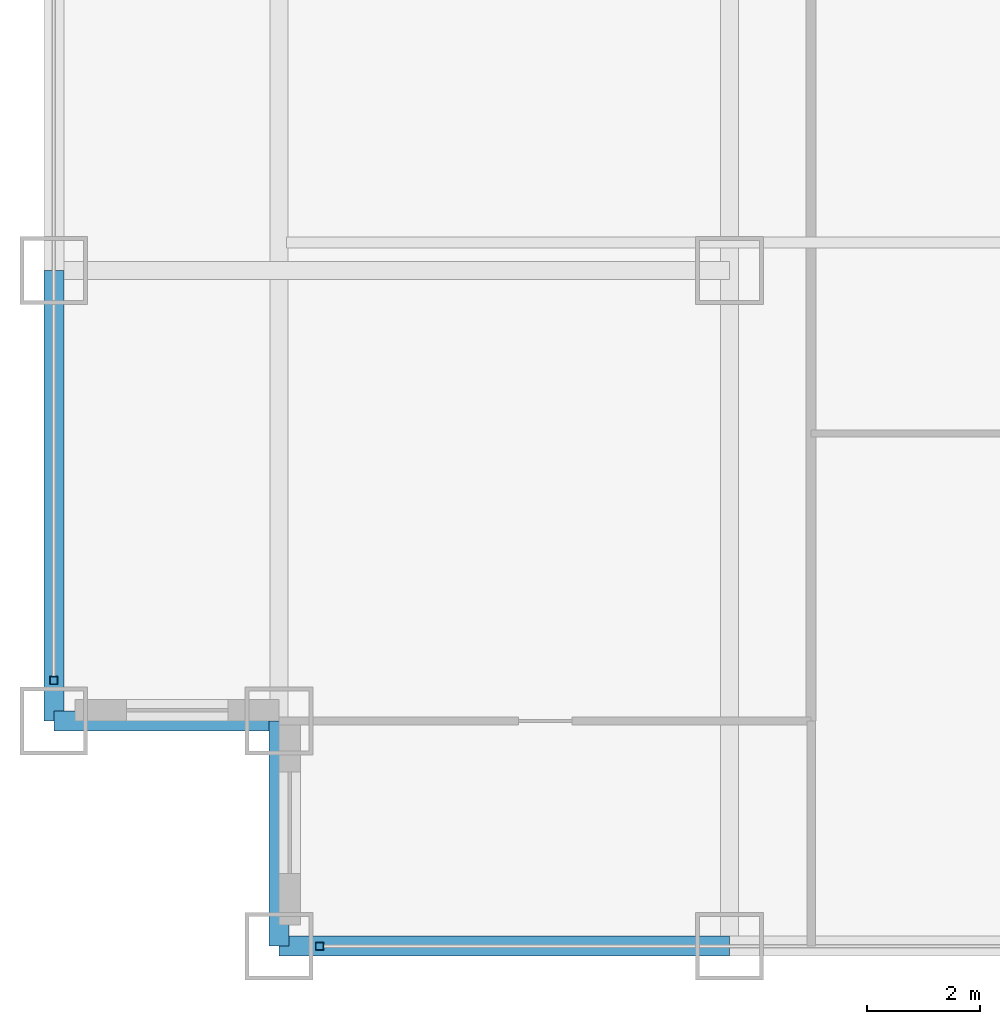
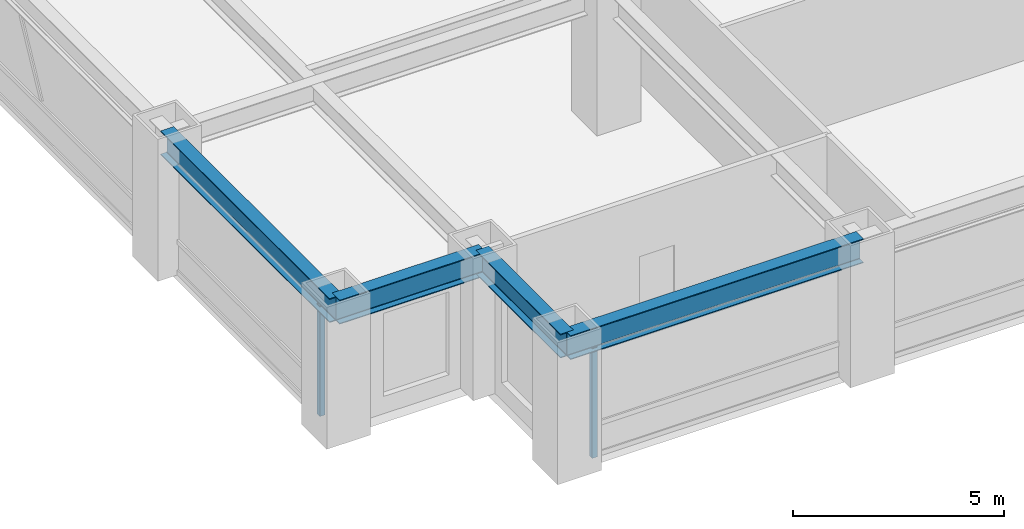
# One storey, part 2 of 28: 4 beams, 2 members, 2 elements without a shape of their own.
"""IFC4 building model written with IfcOpenShell, lengths in metres."""

from ifc_helpers import new_model, si_unit, direction, frame, origin, origin_2d, place, context, subcontext, project, spatial, hollow_rectangle, i_section, extrude, source, transform, mapped, material, material_profile, profile_set, type_object, element, aggregate, save


model = new_model("IFC4")

# Units and contexts
model_context = context("Model", 3, precision=1e-05, world=origin(), true_north=direction((0.0, 1.0)))
body_context = subcontext(model_context, "Body", "Model", "MODEL_VIEW")
ifc_project = project(units=[si_unit("LENGTHUNIT", "METRE"), si_unit("AREAUNIT", "SQUARE_METRE"), si_unit("VOLUMEUNIT", "CUBIC_METRE"), si_unit("PLANEANGLEUNIT", "RADIAN"), si_unit("MASSUNIT", "GRAM", prefix="KILO")], contexts=[model_context])

# Site, building, storey
site_placement = place(None, origin())
site = spatial("IfcSite", under=ifc_project, at=site_placement, CompositionType="ELEMENT")
building_placement = place(site_placement, origin())
building = spatial("IfcBuilding", under=site, at=building_placement, Name="Khorayat Bourse Tower", CompositionType="ELEMENT")
storey_placement = place(building_placement, frame((0.0, 0.0, 124.199951171875)))
storey = spatial("IfcBuildingStorey", under=building, at=storey_placement, Name="L28", CompositionType="ELEMENT", Elevation=124.199951171875)

# Beams
ifc_material_1 = material(Name="Steel ASTM A992 Grade 50", Category="steel")
ifc_material_profile_1 = material_profile(ifc_material_1, i_section(OverallWidth=0.35498046875, OverallDepth=0.695068359375, WebThickness=0.015380859375, FlangeThickness=0.02490234375, FilletRadius=0.01806640625, at=origin_2d()), Name="W690X217")
ifc_profile_set_1 = profile_set([ifc_material_profile_1], Name="Steel ASTM A992 Grade 50")
beam_type = type_object("IfcBeamType", Name="BM-SPAN-690", PredefinedType="SPANDREL", material=ifc_profile_set_1)
shared_shape_1 = source(origin(), body_context, "Body", "SweptSolid", [
    extrude(i_section(OverallWidth=0.35498046875, OverallDepth=0.695068359375, WebThickness=0.015380859375, FlangeThickness=0.02490234375, FilletRadius=0.01806640625, at=origin_2d()), origin(), (0.0, 0.0, 1.0), 8.0),
])
for number, where, z_axis, x_axis, name in (
    (1, (-28.0, -32.0, 3.492431640625), (1.0, 0.0, 0.0), (0.0, 1.0, 0.0), "L28 BM-SPAN-690 BM-L28-SPN-024"),
    (2, (-32.0, -28.0, 3.492431640625), (0.0, 1.0, 0.0), (-1.0, 0.0, 0.0), "L28 BM-SPAN-690 BM-L28-SPN-061"),
):
    element("IfcBeam", number, at=place(storey_placement, frame(where, z_axis=z_axis, x_axis=x_axis)), inside=storey, type_object=beam_type, Name=name, PredefinedType="SPANDREL", context=body_context, shape_type="MappedRepresentation", body=[
        mapped(shared_shape_1, transform((0.0, 0.0, 0.0), scale=1.0)),
    ])
shared_shape_2 = source(origin(), body_context, "Body", "SweptSolid", [
    extrude(i_section(OverallWidth=0.35498046875, OverallDepth=0.695068359375, WebThickness=0.015380859375, FlangeThickness=0.02490234375, FilletRadius=0.01806640625, at=origin_2d()), origin(), (0.0, 0.0, 1.0), 4.0),
])
for number, where, z_axis, x_axis, name in (
    (3, (-32.0, -28.0, 3.492431640625), (1.0, 0.0, 0.0), (0.0, 1.0, 0.0), "L28 BM-SPAN-690 BM-L28-SPN-062"),
    (4, (-28.0, -32.0, 3.492431640625), (0.0, 1.0, 0.0), (-1.0, 0.0, 0.0), "L28 BM-SPAN-690 BM-L28-SPN-063"),
):
    element("IfcBeam", number, at=place(storey_placement, frame(where, z_axis=z_axis, x_axis=x_axis)), inside=storey, type_object=beam_type, Name=name, PredefinedType="SPANDREL", context=body_context, shape_type="MappedRepresentation", body=[
        mapped(shared_shape_2, transform((0.0, 0.0, 0.0), scale=1.0)),
    ])

# Curtain wall, member
ifc_material_2 = material(Name="Aluminium EN AW-6063 T6", Category="aluminium")
curtain_wall_type = type_object("IfcCurtainWallType", Name="CW-SYS-02", PredefinedType="NOTDEFINED", material=ifc_material_2)
curtain_wall_1_placement = place(storey_placement, origin())
curtain_wall_1 = element("IfcCurtainWall", 5, at=curtain_wall_1_placement, inside=storey, type_object=curtain_wall_type, Name="L28 Curtain Wall CW-L28-S1", PredefinedType="NOTDEFINED")
ifc_material_profile_2 = material_profile(ifc_material_2, hollow_rectangle(XDim=0.139892578125, YDim=0.139892578125, WallThickness=0.006103515625, at=origin_2d()), Name="ALU 140x140x6")
ifc_profile_set_2 = profile_set([ifc_material_profile_2], Name="Aluminium EN AW-6063 T6")
member_type = type_object("IfcMemberType", Name="CWM-VERT-140", PredefinedType="MULLION", material=ifc_profile_set_2)
shared_shape_3 = source(origin(), body_context, "Body", "SweptSolid", [
    extrude(hollow_rectangle(XDim=0.139892578125, YDim=0.139892578125, WallThickness=0.006103515625, at=origin_2d()), origin(), (0.0, 0.0, 1.0), 3.18994140625),
])
member_1_placement = place(storey_placement, frame((-27.280029296875, -32.0, 0.0), z_axis=(0.0, 0.0, 1.0), x_axis=(0.0, 1.0, 0.0)))
member_1 = element("IfcMember", 6, at=member_1_placement, type_object=member_type, Name="CW-L28-S1 Vertical Mullion 1", PredefinedType="MULLION", context=body_context, shape_type="MappedRepresentation", body=[
    mapped(shared_shape_3, transform((0.0, 0.0, 0.0), scale=1.0)),
])
aggregate(curtain_wall_1, [member_1])

curtain_wall_2_placement = place(storey_placement, origin())
curtain_wall_2 = element("IfcCurtainWall", 7, at=curtain_wall_2_placement, inside=storey, type_object=curtain_wall_type, Name="L28 Curtain Wall CW-L28-W1", PredefinedType="NOTDEFINED")
member_2_placement = place(storey_placement, frame((-32.0, -27.280029296875, 0.0), z_axis=(0.0, 0.0, 1.0), x_axis=(-1.0, 0.0, 0.0)))
member_2 = element("IfcMember", 8, at=member_2_placement, type_object=member_type, Name="CW-L28-W1 Vertical Mullion 1", PredefinedType="MULLION", context=body_context, shape_type="MappedRepresentation", body=[
    mapped(shared_shape_3, transform((0.0, 0.0, 0.0), scale=1.0)),
])
aggregate(curtain_wall_2, [member_2])

save(model, "model.ifc")
